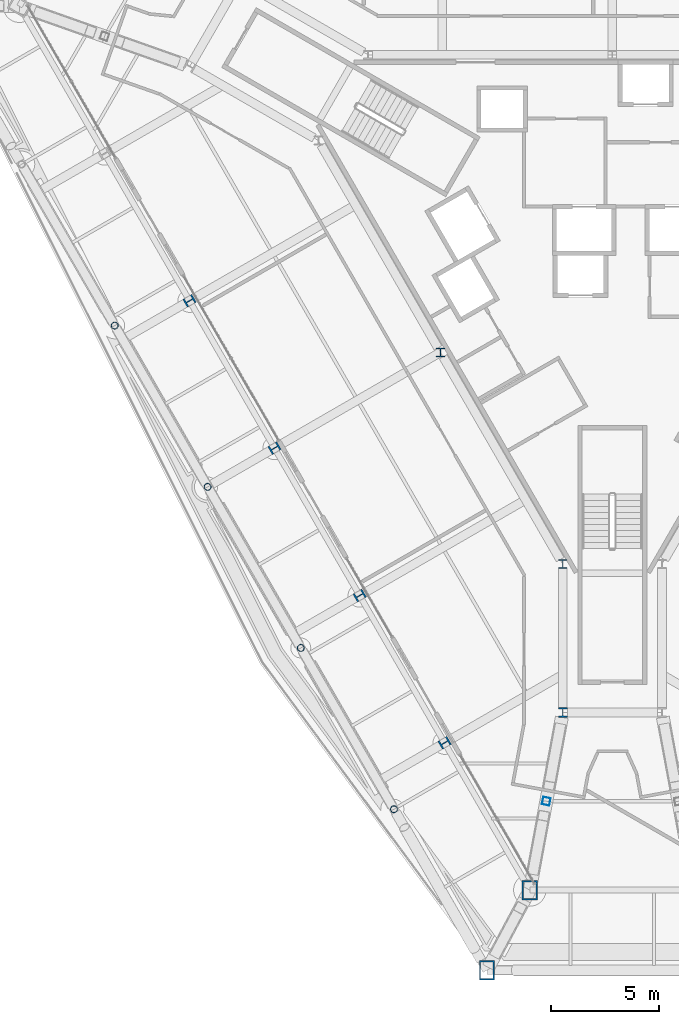
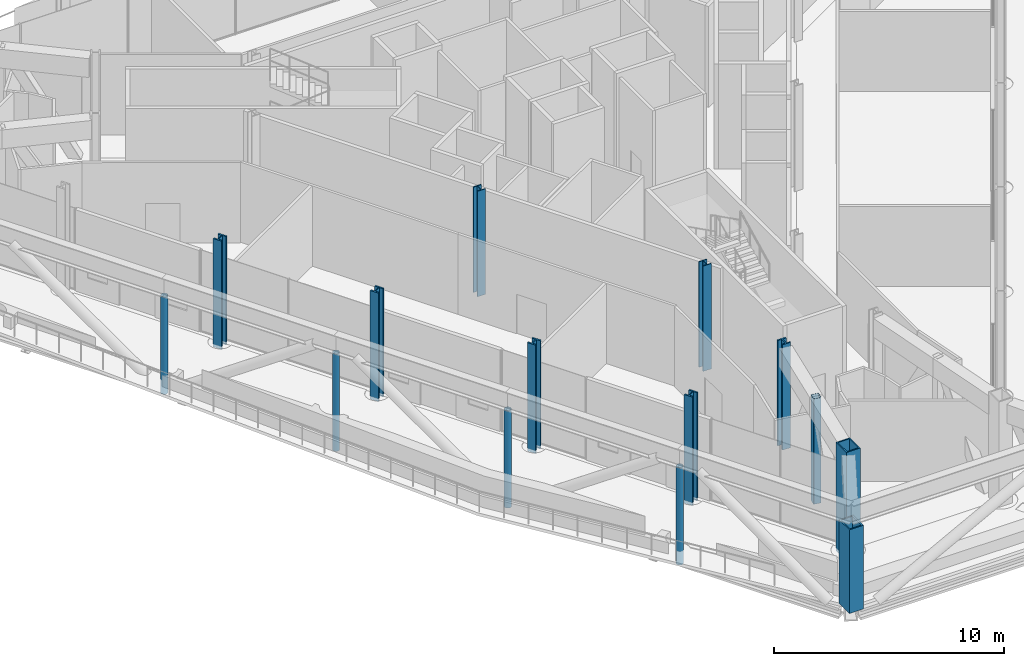
# One storey, part 1 of 26: 14 columns.
"""IFC4 building model written with IfcOpenShell, lengths in metres."""

from ifc_helpers import new_model, si_unit, direction, frame, origin, origin_2d, place, context, subcontext, project, spatial, hollow_rectangle, hollow_circle, i_section, extrude, material, material_profile, profile_set, type_object, element, save


model = new_model("IFC4")

# Units and contexts
model_context = context("Model", 3, precision=1e-05, world=origin(), true_north=direction((0.0, 1.0)))
body_context = subcontext(model_context, "Body", "Model", "MODEL_VIEW")
ifc_project = project(units=[si_unit("LENGTHUNIT", "METRE"), si_unit("AREAUNIT", "SQUARE_METRE"), si_unit("VOLUMEUNIT", "CUBIC_METRE"), si_unit("PLANEANGLEUNIT", "RADIAN"), si_unit("MASSUNIT", "GRAM", prefix="KILO")], contexts=[model_context])

# Site, building, storey
site_placement = place(None, origin())
site = spatial("IfcSite", under=ifc_project, at=site_placement, CompositionType="ELEMENT")
building_placement = place(site_placement, origin())
building = spatial("IfcBuilding", under=site, at=building_placement, Name="Verrane Prism Tower", CompositionType="ELEMENT")
storey_placement = place(building_placement, frame((0.0, 0.0, 87.199951171875)))
storey = spatial("IfcBuildingStorey", under=building, at=storey_placement, Name="L20", CompositionType="ELEMENT", Elevation=87.199951171875)

# Columns
ifc_material_1 = material(Name="Steel A500 Grade C", Category="steel")
ifc_material_profile_1 = material_profile(ifc_material_1, hollow_circle(Radius=0.16259765625, WallThickness=0.0126953125, at=origin_2d()), Name="HSS12.750x0.500")
ifc_profile_set_1 = profile_set([ifc_material_profile_1], Name="Steel A500 Grade C")
column_type_1 = type_object("IfcColumnType", Name="Belt truss post HSS12.750x0.500", PredefinedType="COLUMN", material=ifc_profile_set_1)
for number, where, z_axis, x_axis, name in (
    (1, (-23.080078125, -3.360107421875, -0.72998046875), (0.0, 0.0, 1.0), (-0.5, 0.866025403784, 0.0), "Belt truss post L20"),
    (2, (-18.77001953125, -10.840087890625, -0.72998046875), (0.0, 0.0, 1.0), (-0.5, 0.866025403784, 0.0), "Belt truss post L20"),
    (3, (-14.449951171875, -18.31005859375, -0.72998046875), (0.0, 0.0, 1.0), (-0.5, 0.866025403784, 0.0), "Belt truss post L20"),
    (4, (-10.1298828125, -25.7900390625, -0.72998046875), (0.0, 0.0, 1.0), (-0.5, 0.866025403784, 0.0), "Belt truss post L20"),
):
    element("IfcColumn", number, at=place(storey_placement, frame(where, z_axis=z_axis, x_axis=x_axis)), inside=storey, type_object=column_type_1, Name=name, PredefinedType="COLUMN", context=body_context, shape_type="SweptSolid", body=[
        extrude(hollow_circle(Radius=0.16259765625, WallThickness=0.0126953125, at=origin_2d()), origin(), (0.0, 0.0, 1.0), 5.169921875),
    ])
ifc_material_2 = material(Name="Steel A992", Category="steel")
ifc_material_profile_2 = material_profile(ifc_material_2, i_section(OverallWidth=0.419189453125, OverallDepth=0.45458984375, WebThickness=0.042236328125, FlangeThickness=0.067626953125, FilletRadius=0.01513671875, at=origin_2d()), Name="W14x370")
ifc_profile_set_2 = profile_set([ifc_material_profile_2], Name="Steel A992")
column_type_2 = type_object("IfcColumnType", Name="Core corner column W14x370", PredefinedType="COLUMN", material=ifc_profile_set_2)
column_1_placement = place(storey_placement, frame((-2.300048828125, -21.300048828125, 0.0), z_axis=(0.0, 0.0, 1.0), x_axis=(-1.0, 0.0, 0.0)))
element("IfcColumn", 5, at=column_1_placement, inside=storey, type_object=column_type_2, Name="Core corner column CK-Sm L20", PredefinedType="COLUMN", context=body_context, shape_type="SweptSolid", body=[
    extrude(i_section(OverallWidth=0.419189453125, OverallDepth=0.45458984375, WebThickness=0.042236328125, FlangeThickness=0.067626953125, FilletRadius=0.01513671875, at=origin_2d()), origin(), (0.0, 0.0, 1.0), 5.60009765625),
])
ifc_material_3 = material(Name="Steel A992", Category="steel")
ifc_material_profile_3 = material_profile(ifc_material_3, i_section(OverallWidth=0.406494140625, OverallDepth=0.41650390625, WebThickness=0.030029296875, FlangeThickness=0.048095703125, FilletRadius=0.01513671875, at=origin_2d()), Name="W14x257")
ifc_profile_set_3 = profile_set([ifc_material_profile_3], Name="Steel A992")
column_type_3 = type_object("IfcColumnType", Name="Core side column W14x257", PredefinedType="COLUMN", material=ifc_profile_set_3)
for number, where, z_axis, x_axis, name in (
    (6, (-7.969970703125, -4.60009765625, 0.0), (0.0, 0.0, 1.0), (1.0, 0.0, 0.0), "Core side column CC-SW0 L20"),
    (7, (-2.300048828125, -14.419921875, 0.0), (0.0, 0.0, 1.0), (1.0, 0.0, 0.0), "Core side column CC-Sm L20"),
):
    element("IfcColumn", number, at=place(storey_placement, frame(where, z_axis=z_axis, x_axis=x_axis)), inside=storey, type_object=column_type_3, Name=name, PredefinedType="COLUMN", context=body_context, shape_type="SweptSolid", body=[
        extrude(i_section(OverallWidth=0.406494140625, OverallDepth=0.41650390625, WebThickness=0.030029296875, FlangeThickness=0.048095703125, FilletRadius=0.01513671875, at=origin_2d()), origin(), (0.0, 0.0, 1.0), 5.60009765625),
    ])
ifc_material_4 = material(Name="Steel A572 Grade 50", Category="steel")
ifc_material_profile_4 = material_profile(ifc_material_4, hollow_rectangle(XDim=0.699951171875, YDim=0.89990234375, WallThickness=0.06494140625, at=origin_2d()), Name="BOX 900x700x65")
ifc_profile_set_4 = profile_set([ifc_material_profile_4], Name="Steel A572 Grade 50")
column_type_4 = type_object("IfcColumnType", Name="Megacolumn BOX 900x700x65", PredefinedType="COLUMN", material=ifc_profile_set_4)
column_2_placement = place(storey_placement, frame((-5.820068359375, -33.260009765625, 0.0), z_axis=(0.0, 0.0, 1.0), x_axis=(-1.0, 0.0, 0.0)))
element("IfcColumn", 8, at=column_2_placement, inside=storey, type_object=column_type_4, Name="Megacolumn MC-S.a@out L20", PredefinedType="COLUMN", context=body_context, shape_type="SweptSolid", body=[
    extrude(hollow_rectangle(XDim=0.699951171875, YDim=0.89990234375, WallThickness=0.06494140625, at=origin_2d()), origin(), (0.0, 0.0, 1.0), 4.43994140625),
])
column_3_placement = place(storey_placement, frame((-3.830078125, -29.5400390625, -0.159912109375), z_axis=(0.0, 0.0, 1.0), x_axis=(-1.0, 0.0, 0.0)))
element("IfcColumn", 9, at=column_3_placement, inside=storey, type_object=column_type_4, Name="Megacolumn MC-S.a L20", PredefinedType="COLUMN", context=body_context, shape_type="SweptSolid", body=[
    extrude(hollow_rectangle(XDim=0.699951171875, YDim=0.89990234375, WallThickness=0.06494140625, at=origin_2d()), origin(), (0.0, 0.0, 1.0), 5.760009765625),
])
ifc_material_5 = material(Name="Steel A500 Grade C", Category="steel")
ifc_material_profile_5 = material_profile(ifc_material_5, hollow_rectangle(XDim=0.355712890625, YDim=0.355712890625, WallThickness=0.0126953125, InnerFilletRadius=0.00634765625, OuterFilletRadius=0.01904296875, at=origin_2d()), Name="HSS14x14x1/2")
ifc_profile_set_5 = profile_set([ifc_material_profile_5], Name="Steel A500 Grade C")
column_type_5 = type_object("IfcColumnType", Name="Outrigger truss post HSS14x14x1/2", PredefinedType="COLUMN", material=ifc_profile_set_5)
column_4_placement = place(storey_placement, frame((-3.06494140625, -25.419921875, -0.159912109375), z_axis=(0.0, 0.0, 1.0), x_axis=(0.983194740542, -0.182559859143, 0.0)))
element("IfcColumn", 10, at=column_4_placement, inside=storey, type_object=column_type_5, Name="Outrigger truss post L20", PredefinedType="COLUMN", context=body_context, shape_type="SweptSolid", body=[
    extrude(hollow_rectangle(XDim=0.355712890625, YDim=0.355712890625, WallThickness=0.0126953125, InnerFilletRadius=0.00634765625, OuterFilletRadius=0.01904296875, at=origin_2d()), origin(), (0.0, 0.0, 1.0), 5.599853515625),
])
ifc_material_6 = material(Name="Steel A992", Category="steel")
ifc_material_profile_6 = material_profile(ifc_material_6, i_section(OverallWidth=0.424072265625, OverallDepth=0.47509765625, WebThickness=0.0478515625, FlangeThickness=0.0771484375, FilletRadius=0.014892578125, at=origin_2d()), Name="W14x426")
ifc_profile_set_6 = profile_set([ifc_material_profile_6], Name="Steel A992")
column_type_6 = type_object("IfcColumnType", Name="Perimeter column W14x426", PredefinedType="COLUMN", material=ifc_profile_set_6)
for number, where, z_axis, x_axis, name in (
    (11, (-19.610107421875, -2.2099609375, -0.159912109375), (0.0, 0.0, 1.0), (-0.5, 0.866025403784, 0.0), "Perimeter column PC-SW2 L20"),
    (12, (-15.669921875, -9.0400390625, -0.159912109375), (0.0, 0.0, 1.0), (-0.5, 0.866025403784, 0.0), "Perimeter column PC-SW3 L20"),
    (13, (-11.719970703125, -15.8798828125, -0.159912109375), (0.0, 0.0, 1.0), (-0.5, 0.866025403784, 0.0), "Perimeter column PC-SW4 L20"),
    (14, (-7.780029296875, -22.7099609375, -0.159912109375), (0.0, 0.0, 1.0), (-0.5, 0.866025403784, 0.0), "Perimeter column PC-SW5 L20"),
):
    element("IfcColumn", number, at=place(storey_placement, frame(where, z_axis=z_axis, x_axis=x_axis)), inside=storey, type_object=column_type_6, Name=name, PredefinedType="COLUMN", context=body_context, shape_type="SweptSolid", body=[
        extrude(i_section(OverallWidth=0.424072265625, OverallDepth=0.47509765625, WebThickness=0.0478515625, FlangeThickness=0.0771484375, FilletRadius=0.014892578125, at=origin_2d()), origin(), (0.0, 0.0, 1.0), 5.760009765625),
    ])

save(model, "model.ifc")
